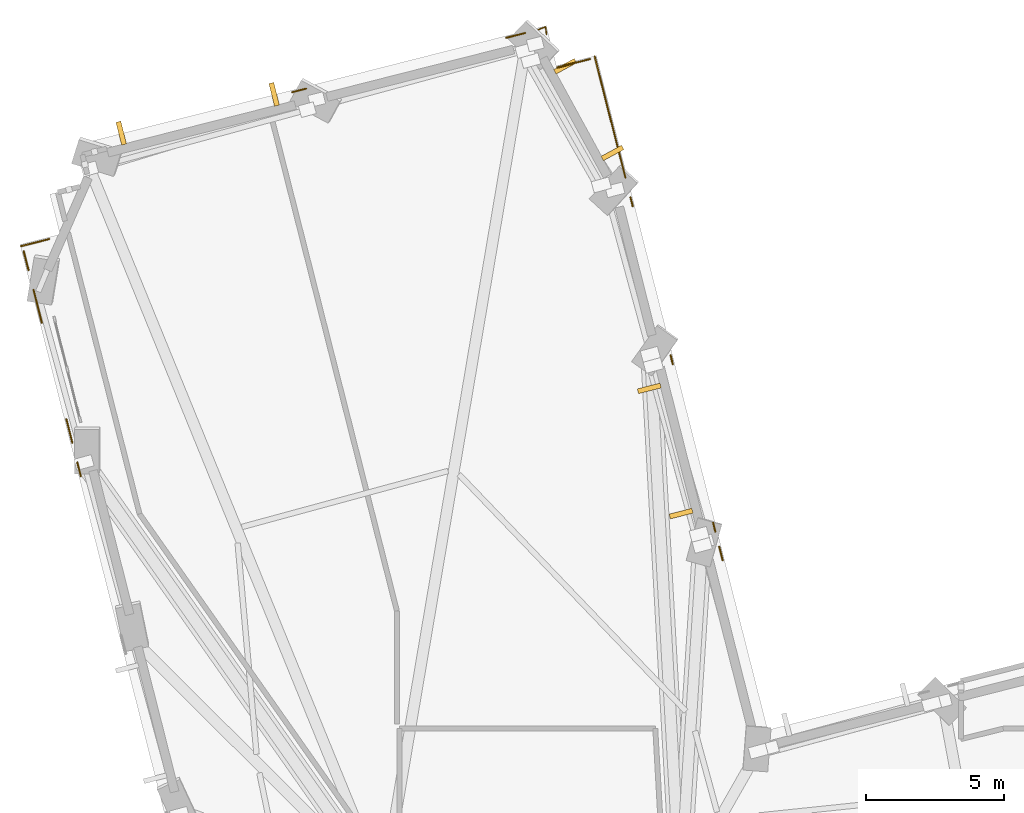
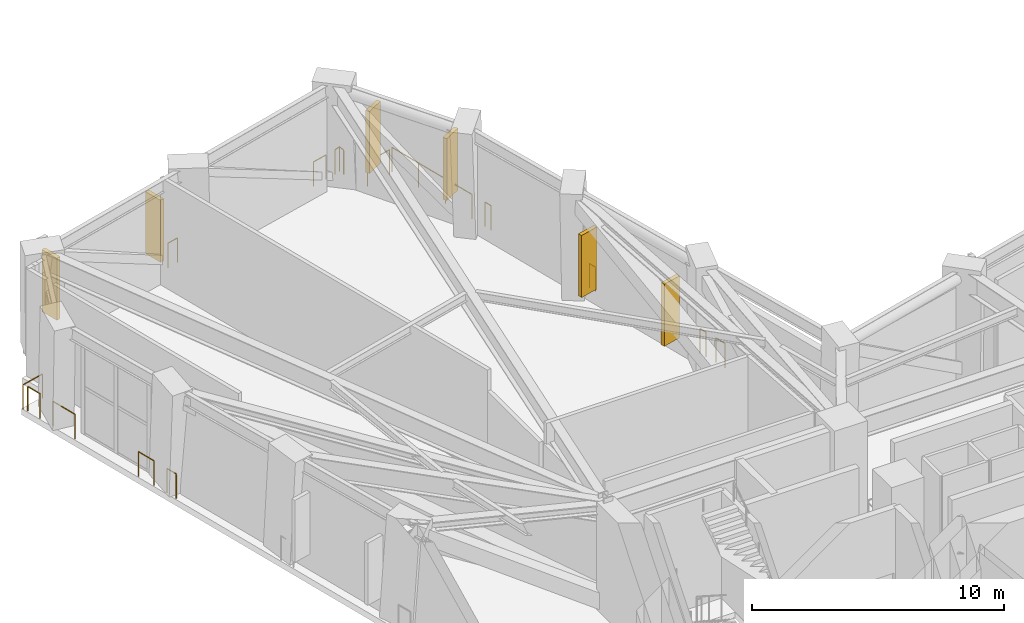
# One storey, part 16 of 17: 14 railings, 6 shading devices.
"""IFC4 building model written with IfcOpenShell, lengths in metres."""

from ifc_helpers import new_model, si_unit, direction, frame, origin, origin_2d, place, context, subcontext, project, spatial, rectangle, circle, extrude, material, layer, layer_set, type_object, element, save


model = new_model("IFC4")

# Units and contexts
model_context = context("Model", 3, precision=1e-05, world=origin(), true_north=direction((0.0, 1.0)))
body_context = subcontext(model_context, "Body", "Model", "MODEL_VIEW")
ifc_project = project(units=[si_unit("LENGTHUNIT", "METRE"), si_unit("AREAUNIT", "SQUARE_METRE"), si_unit("VOLUMEUNIT", "CUBIC_METRE"), si_unit("PLANEANGLEUNIT", "RADIAN"), si_unit("MASSUNIT", "GRAM", prefix="KILO")], contexts=[model_context])

# Site, building, storey
site_placement = place(None, origin())
site = spatial("IfcSite", under=ifc_project, at=site_placement, CompositionType="ELEMENT")
building_placement = place(site_placement, origin())
building = spatial("IfcBuilding", under=site, at=building_placement, Name="Gaonmaruhae Medical Tower", CompositionType="ELEMENT")
storey_placement = place(building_placement, frame((0.0, 0.0, 83.0)))
storey = spatial("IfcBuildingStorey", under=building, at=storey_placement, Name="L19", CompositionType="ELEMENT", Elevation=83.0)

# Railings
ifc_material_1 = material(Name="Stainless steel 316L and laminated safety glass", Category="steel")
ifc_layer = layer(ifc_material_1, 0.080078125)
ifc_layer_set = layer_set([ifc_layer], Name="Stainless steel 316L and laminated safety glass")
railing_type = type_object("IfcRailingType", Name="GD-120 Outdoor Terrace Safety Glass & Steel Balustrade", PredefinedType="BALUSTRADE", material=ifc_layer_set)
railing_1_placement = place(storey_placement, frame((26.34326171875, 28.713623046875, 0.0)))
element("IfcRailing", 1, at=railing_1_placement, inside=storey, type_object=railing_type, Name="L19 Perimeter Slab Edge Safety Balustrade 14", PredefinedType="BALUSTRADE", context=body_context, shape_type="SweptSolid", body=[
    extrude(circle(Radius=0.02392578125, at=origin_2d()), frame((0.0, 0.0, 1.17578125), z_axis=(-0.246076670616, 0.969250366097, 0.0), x_axis=(-0.969250366097, -0.246076670616, 0.0)), (0.0, 0.0, 1.0), 0.518798828125),
    extrude(circle(Radius=0.02099609375, at=origin_2d()), origin(), (0.0, 0.0, 1.0), 1.15185546875),
    extrude(circle(Radius=0.02099609375, at=origin_2d()), frame((-0.127685546875, 0.5029296875, 0.0)), (0.0, 0.0, 1.0), 1.15185546875),
])
for number, where, name in (
    (2, (26.078369140625, 29.757080078125, 0.0), "L19 Perimeter Slab Edge Safety Balustrade 15"),
    (3, (24.532470703125, 35.843994140625, 0.0), "L19 Perimeter Slab Edge Safety Balustrade 16"),
):
    element("IfcRailing", number, at=place(storey_placement, frame(where)), inside=storey, type_object=railing_type, Name=name, PredefinedType="BALUSTRADE", context=body_context, shape_type="SweptSolid", body=[
        extrude(circle(Radius=0.02392578125, at=origin_2d()), frame((0.0, 0.0, 1.17578125), z_axis=(-0.245917953689, 0.969290647873, 0.0), x_axis=(-0.969290647873, -0.245917953689, 0.0)), (0.0, 0.0, 1.0), 0.339599609375),
        extrude(circle(Radius=0.02099609375, at=origin_2d()), origin(), (0.0, 0.0, 1.0), 1.15185546875),
        extrude(circle(Radius=0.02099609375, at=origin_2d()), frame((-0.08349609375, 0.3291015625, 0.0)), (0.0, 0.0, 1.0), 1.15185546875),
    ])
railing_2_placement = place(storey_placement, frame((23.074951171875, 41.583251953125, 0.0)))
element("IfcRailing", 4, at=railing_2_placement, inside=storey, type_object=railing_type, Name="L19 Perimeter Slab Edge Safety Balustrade 17", PredefinedType="BALUSTRADE", context=body_context, shape_type="SweptSolid", body=[
    extrude(circle(Radius=0.02392578125, at=origin_2d()), frame((0.0, 0.0, 1.17578125), z_axis=(-0.246089468422, 0.969247116855, 0.0), x_axis=(-0.969247116855, -0.246089468422, 0.0)), (0.0, 0.0, 1.0), 0.33935546875),
    extrude(circle(Radius=0.02099609375, at=origin_2d()), origin(), (0.0, 0.0, 1.0), 1.15185546875),
    extrude(circle(Radius=0.02099609375, at=origin_2d()), frame((-0.08349609375, 0.328857421875, 0.0)), (0.0, 0.0, 1.0), 1.15185546875),
])
railing_3_placement = place(storey_placement, frame((22.809814453125, 42.626708984375, 0.0)))
element("IfcRailing", 5, at=railing_3_placement, inside=storey, type_object=railing_type, Name="L19 Perimeter Slab Edge Safety Balustrade 18", PredefinedType="BALUSTRADE", context=body_context, shape_type="SweptSolid", body=[
    extrude(circle(Radius=0.02392578125, at=origin_2d()), frame((0.0, 0.0, 1.17578125), z_axis=(-0.246135427114, 0.969235446896, 0.0), x_axis=(-0.969235446896, -0.246135427114, 0.0)), (0.0, 0.0, 1.0), 4.5458984375),
    extrude(circle(Radius=0.02099609375, at=origin_2d()), origin(), (0.0, 0.0, 1.0), 1.15185546875),
    extrude(circle(Radius=0.02099609375, at=origin_2d()), frame((-0.373046875, 1.46875, 0.0)), (0.0, 0.0, 1.0), 1.15185546875),
    extrude(circle(Radius=0.02099609375, at=origin_2d()), frame((-0.745849609375, 2.937255859375, 0.0)), (0.0, 0.0, 1.0), 1.15185546875),
    extrude(circle(Radius=0.02099609375, at=origin_2d()), frame((-1.118896484375, 4.406005859375, 0.0)), (0.0, 0.0, 1.0), 1.15185546875),
])
railing_4_placement = place(storey_placement, frame((21.525634765625, 46.93896484375, 0.0)))
element("IfcRailing", 6, at=railing_4_placement, inside=storey, type_object=railing_type, Name="L19 Perimeter Slab Edge Safety Balustrade 19", PredefinedType="BALUSTRADE", context=body_context, shape_type="SweptSolid", body=[
    extrude(circle(Radius=0.02392578125, at=origin_2d()), frame((0.0, 0.0, 1.17578125), z_axis=(-0.969269950296, -0.245999519213, 0.0), x_axis=(0.245999519213, -0.969269950296, 0.0)), (0.0, 0.0, 1.0), 1.2265625),
    extrude(circle(Radius=0.02099609375, at=origin_2d()), origin(), (0.0, 0.0, 1.0), 1.15185546875),
    extrude(circle(Radius=0.02099609375, at=origin_2d()), frame((-1.18896484375, -0.3017578125, 0.0)), (0.0, 0.0, 1.0), 1.15185546875),
])
railing_5_placement = place(storey_placement, frame((19.16015625, 47.885986328125, 0.0)))
element("IfcRailing", 7, at=railing_5_placement, inside=storey, type_object=railing_type, Name="L19 Perimeter Slab Edge Safety Balustrade 20", PredefinedType="BALUSTRADE", context=body_context, shape_type="SweptSolid", body=[
    extrude(circle(Radius=0.02392578125, at=origin_2d()), frame((0.0, 0.0, 1.17578125), z_axis=(-0.969185571944, -0.246331742037, 0.0), x_axis=(0.246331742037, -0.969185571944, 0.0)), (0.0, 0.0, 1.0), 0.69580078125),
    extrude(circle(Radius=0.02099609375, at=origin_2d()), origin(), (0.0, 0.0, 1.0), 1.15185546875),
    extrude(circle(Radius=0.02099609375, at=origin_2d()), frame((-0.67431640625, -0.17138671875, 0.0)), (0.0, 0.0, 1.0), 1.15185546875),
])
railing_6_placement = place(storey_placement, frame((11.198486328125, 45.864013671875, 0.0)))
element("IfcRailing", 8, at=railing_6_placement, inside=storey, type_object=railing_type, Name="L19 Perimeter Slab Edge Safety Balustrade 21", PredefinedType="BALUSTRADE", context=body_context, shape_type="SweptSolid", body=[
    extrude(circle(Radius=0.02392578125, at=origin_2d()), frame((0.0, 0.0, 1.17578125), z_axis=(-0.969246865933, -0.246090456701, 0.0), x_axis=(0.246090456701, -0.969246865933, 0.0)), (0.0, 0.0, 1.0), 0.516845703125),
    extrude(circle(Radius=0.02099609375, at=origin_2d()), origin(), (0.0, 0.0, 1.0), 1.15185546875),
    extrude(circle(Radius=0.02099609375, at=origin_2d()), frame((-0.5009765625, -0.127197265625, 0.0)), (0.0, 0.0, 1.0), 1.15185546875),
])
railing_7_placement = place(storey_placement, frame((1.864013671875, 40.39794921875, 0.0)))
element("IfcRailing", 9, at=railing_7_placement, inside=storey, type_object=railing_type, Name="L19 Perimeter Slab Edge Safety Balustrade 22", PredefinedType="BALUSTRADE", context=body_context, shape_type="SweptSolid", body=[
    extrude(circle(Radius=0.02392578125, at=origin_2d()), frame((0.0, 0.0, 1.17578125), z_axis=(-0.9692691383, -0.246002718561, 0.0), x_axis=(0.246002718561, -0.9692691383, 0.0)), (0.0, 0.0, 1.0), 1.059814453125),
    extrude(circle(Radius=0.02099609375, at=origin_2d()), origin(), (0.0, 0.0, 1.0), 1.15185546875),
    extrude(circle(Radius=0.02099609375, at=origin_2d()), frame((-1.02734375, -0.2607421875, 0.0)), (0.0, 0.0, 1.0), 1.15185546875),
])
railing_8_placement = place(storey_placement, frame((0.936767578125, 39.9462890625, 0.0)))
element("IfcRailing", 10, at=railing_8_placement, inside=storey, type_object=railing_type, Name="L19 Perimeter Slab Edge Safety Balustrade 23", PredefinedType="BALUSTRADE", context=body_context, shape_type="SweptSolid", body=[
    extrude(circle(Radius=0.02392578125, at=origin_2d()), frame((0.0, 0.0, 1.17578125), z_axis=(0.246065369402, -0.969253235218, 0.0), x_axis=(0.969253235218, 0.246065369402, 0.0)), (0.0, 0.0, 1.0), 0.699462890625),
    extrude(circle(Radius=0.02099609375, at=origin_2d()), origin(), (0.0, 0.0, 1.0), 1.15185546875),
    extrude(circle(Radius=0.02099609375, at=origin_2d()), frame((0.172119140625, -0.677978515625, 0.0)), (0.0, 0.0, 1.0), 1.15185546875),
])
railing_9_placement = place(storey_placement, frame((1.290771484375, 38.5517578125, 0.0)))
element("IfcRailing", 11, at=railing_9_placement, inside=storey, type_object=railing_type, Name="L19 Perimeter Slab Edge Safety Balustrade 24", PredefinedType="BALUSTRADE", context=body_context, shape_type="SweptSolid", body=[
    extrude(circle(Radius=0.02392578125, at=origin_2d()), frame((0.0, 0.0, 1.17578125), z_axis=(0.246103897746, -0.969243453171, 0.0), x_axis=(0.969243453171, 0.246103897746, 0.0)), (0.0, 0.0, 1.0), 1.239013671875),
    extrude(circle(Radius=0.02099609375, at=origin_2d()), origin(), (0.0, 0.0, 1.0), 1.15185546875),
    extrude(circle(Radius=0.02099609375, at=origin_2d()), frame((0.304931640625, -1.200927734375, 0.0)), (0.0, 0.0, 1.0), 1.15185546875),
])
railing_10_placement = place(storey_placement, frame((2.486083984375, 33.845703125, 0.0)))
element("IfcRailing", 12, at=railing_10_placement, inside=storey, type_object=railing_type, Name="L19 Perimeter Slab Edge Safety Balustrade 25", PredefinedType="BALUSTRADE", context=body_context, shape_type="SweptSolid", body=[
    extrude(circle(Radius=0.02392578125, at=origin_2d()), frame((0.0, 0.0, 1.17578125), z_axis=(0.245996519747, -0.969270711552, 0.0), x_axis=(0.969270711552, 0.245996519747, 0.0)), (0.0, 0.0, 1.0), 0.87939453125),
    extrude(circle(Radius=0.02099609375, at=origin_2d()), origin(), (0.0, 0.0, 1.0), 1.15185546875),
    extrude(circle(Radius=0.02099609375, at=origin_2d()), frame((0.21630859375, -0.852294921875, 0.0)), (0.0, 0.0, 1.0), 1.15185546875),
])
railing_11_placement = place(storey_placement, frame((2.884521484375, 32.277099609375, 0.0)))
element("IfcRailing", 13, at=railing_11_placement, inside=storey, type_object=railing_type, Name="L19 Perimeter Slab Edge Safety Balustrade 26", PredefinedType="BALUSTRADE", context=body_context, shape_type="SweptSolid", body=[
    extrude(circle(Radius=0.02392578125, at=origin_2d()), frame((0.0, 0.0, 1.17578125), z_axis=(0.245740451999, -0.969335664386, 0.0), x_axis=(0.969335664386, 0.245740451999, 0.0)), (0.0, 0.0, 1.0), 0.51953125),
    extrude(circle(Radius=0.02099609375, at=origin_2d()), origin(), (0.0, 0.0, 1.0), 1.15185546875),
    extrude(circle(Radius=0.02099609375, at=origin_2d()), frame((0.127685546875, -0.503662109375, 0.0)), (0.0, 0.0, 1.0), 1.15185546875),
])
railing_12_placement = place(storey_placement, frame((19.941650390625, 47.826416015625, 0.0)))
element("IfcRailing", 14, at=railing_12_placement, inside=storey, type_object=railing_type, Name="L19 Perimeter Corner Safety Balustrade 34", PredefinedType="BALUSTRADE", context=body_context, shape_type="SweptSolid", body=[
    extrude(circle(Radius=0.02392578125, at=origin_2d()), frame((0.0, 0.0, 1.17578125), z_axis=(-0.125813183239, 0.992053951619, 0.0), x_axis=(-0.992053951619, -0.125813183239, 0.0)), (0.0, 0.0, 1.0), 0.287109375),
    extrude(circle(Radius=0.02392578125, at=origin_2d()), frame((-0.0361328125, 0.284912109375, 1.17578125), z_axis=(-0.932068496143, -0.362282097953, 0.0), x_axis=(0.362282097953, -0.932068496143, 0.0)), (0.0, 0.0, 1.0), 0.287109375),
    extrude(circle(Radius=0.02099609375, at=origin_2d()), origin(), (0.0, 0.0, 1.0), 1.15185546875),
    extrude(circle(Radius=0.02099609375, at=origin_2d()), frame((-0.0361328125, 0.284912109375, 0.0)), (0.0, 0.0, 1.0), 1.15185546875),
    extrude(circle(Radius=0.02099609375, at=origin_2d()), frame((-0.3037109375, 0.180908203125, 0.0)), (0.0, 0.0, 1.0), 1.15185546875),
])

# Shading devices
ifc_material_2 = material(Name="Pigmented coral precast concrete C45/55", Category="concrete")
shading_device_type = type_object("IfcShadingDeviceType", Name="SD-FIN1 Tower Vertical Coral Precast Shading Fin", PredefinedType="USERDEFINED", material=ifc_material_2)
for number, where, z_axis, x_axis, name in (
    (15, (24.8330078125, 30.41552734375, 0.782470703125), (0.0, 0.0, 1.0), (-0.246153293029, 0.969230909707, 0.0), "L19 Vertical Coral Precast Shading Fin NE01"),
    (16, (23.677001953125, 34.967529296875, 0.782470703125), (0.0, 0.0, 1.0), (-0.246153293029, 0.969230909707, 0.0), "L19 Vertical Coral Precast Shading Fin NE01B"),
    (17, (20.61865234375, 46.676025390625, 0.782470703125), (0.0, 0.0, 1.0), (0.479182141455, -0.877715486539, 0.0), "L19 Vertical Coral Precast Shading Fin NE03"),
    (18, (22.33837890625, 43.52587890625, 0.782470703125), (0.0, 0.0, 1.0), (0.479182141455, -0.877715486539, 0.0), "L19 Vertical Coral Precast Shading Fin NE03B"),
    (19, (4.480712890625, 44.24560546875, 0.782470703125), (0.0, 0.0, 1.0), (0.969230909707, 0.246153293029, 0.0), "L19 Vertical Coral Precast Shading Fin N02"),
    (20, (10.038818359375, 45.656982421875, 0.782470703125), (0.0, 0.0, 1.0), (0.969230909707, 0.246153293029, 0.0), "L19 Vertical Coral Precast Shading Fin N02B"),
):
    element("IfcShadingDevice", number, at=place(storey_placement, frame(where, z_axis=z_axis, x_axis=x_axis)), inside=storey, type_object=shading_device_type, Name=name, ObjectType="FIN", PredefinedType="USERDEFINED", context=body_context, shape_type="SweptSolid", body=[
        extrude(rectangle(XDim=0.179931640625, YDim=0.85009765625, at=origin_2d()), origin(), (0.0, 0.0, 1.0), 3.0),
    ])

save(model, "model.ifc")
